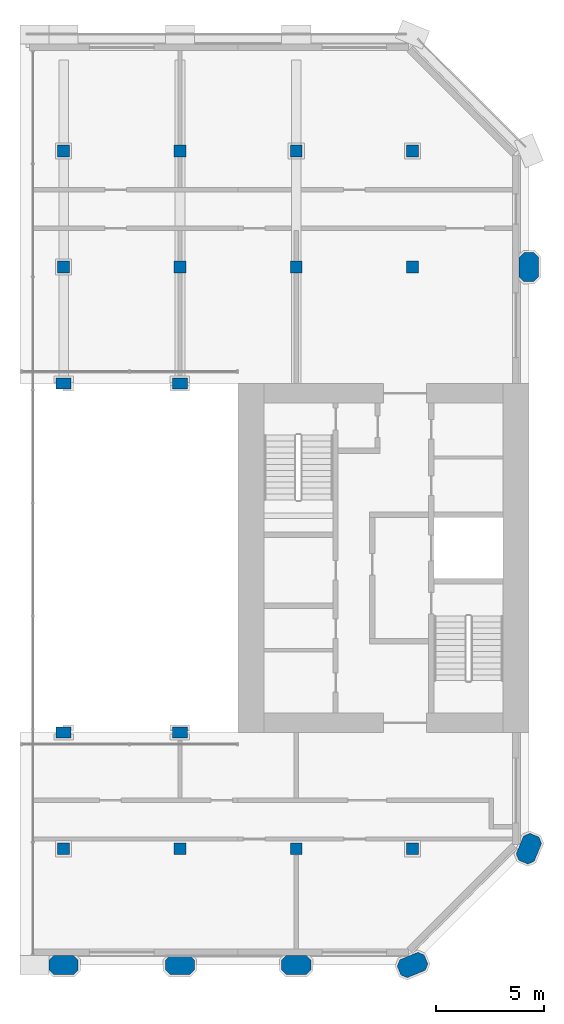
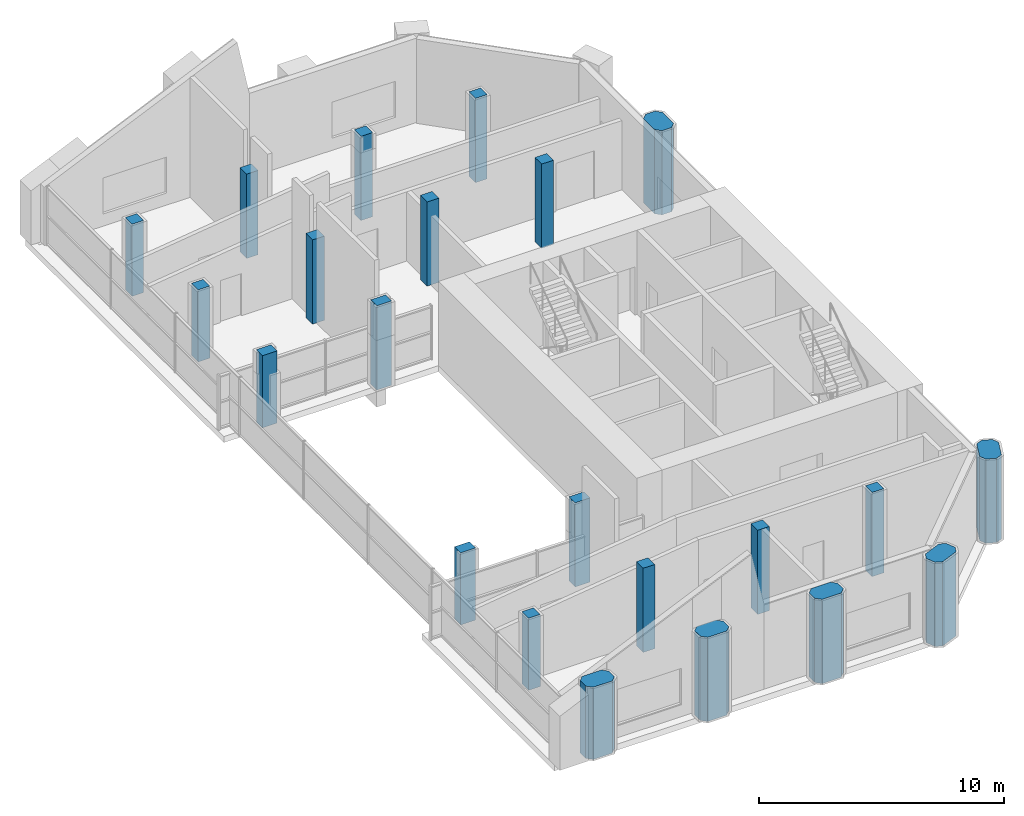
# One storey, part 1 of 8: 22 columns.
"""IFC4 building model written with IfcOpenShell, lengths in metres."""

from ifc_helpers import new_model, si_unit, direction, frame, origin, origin_2d, place, context, subcontext, project, spatial, polyline, rectangle, outline, extrude, material, material_profile, profile_set, type_object, element, save


model = new_model("IFC4")

# Units and contexts
model_context = context("Model", 3, precision=1e-05, world=origin(), true_north=direction((0.0, 1.0)))
body_context = subcontext(model_context, "Body", "Model", "MODEL_VIEW")
ifc_project = project(units=[si_unit("LENGTHUNIT", "METRE"), si_unit("AREAUNIT", "SQUARE_METRE"), si_unit("VOLUMEUNIT", "CUBIC_METRE"), si_unit("PLANEANGLEUNIT", "RADIAN"), si_unit("MASSUNIT", "GRAM", prefix="KILO")], contexts=[model_context])

# Site, building, storey
site_placement = place(None, origin())
site = spatial("IfcSite", under=ifc_project, at=site_placement, CompositionType="ELEMENT")
building_placement = place(site_placement, origin())
building = spatial("IfcBuilding", under=site, at=building_placement, Name="Tabaq Tower and Sports Hall", CompositionType="ELEMENT")
storey_placement = place(building_placement, frame((0.0, 0.0, 330.699951171875)))
storey = spatial("IfcBuildingStorey", under=building, at=storey_placement, Name="L82", CompositionType="ELEMENT", Elevation=330.699951171875)

# Columns
ifc_material_1 = material(Name="Concrete C40/50", Category="concrete")
ifc_material_profile_1 = material_profile(ifc_material_1, rectangle(XDim=0.699951171875, YDim=0.5, at=origin_2d()), Name="ATRIUM COLUMN 700x500")
ifc_profile_set_1 = profile_set([ifc_material_profile_1], Name="Concrete C40/50")
column_type_1 = type_object("IfcColumnType", Name="RC COLUMN ATRIUM COLUMN 700x500 C40/50", PredefinedType="COLUMN", material=ifc_profile_set_1)
column_1_placement = place(storey_placement, frame((21.60009765625, 16.199951171875, 0.0), z_axis=(0.0, 0.0, 1.0), x_axis=(1.0, 0.0, 0.0)))
element("IfcColumn", 1, at=column_1_placement, inside=storey, type_object=column_type_1, Name="Atrium Column 5/D L82", PredefinedType="COLUMN", context=body_context, shape_type="SweptSolid", body=[
    extrude(rectangle(XDim=0.699951171875, YDim=0.5, at=origin_2d()), origin(), (0.0, 0.0, 1.0), 3.60009765625),
])
column_2_placement = place(storey_placement, frame((27.0, 16.199951171875, 0.0), z_axis=(0.0, 0.0, 1.0), x_axis=(1.0, 0.0, 0.0)))
element("IfcColumn", 2, at=column_2_placement, inside=storey, type_object=column_type_1, Name="Atrium Column 6/D L82", PredefinedType="COLUMN", context=body_context, shape_type="SweptSolid", body=[
    extrude(rectangle(XDim=0.699951171875, YDim=0.5, at=origin_2d()), origin(), (0.0, 0.0, 1.0), 4.199951171875),
])
column_3_placement = place(storey_placement, frame((21.60009765625, 32.39990234375, 0.0), z_axis=(0.0, 0.0, 1.0), x_axis=(1.0, 0.0, 0.0)))
element("IfcColumn", 3, at=column_3_placement, inside=storey, type_object=column_type_1, Name="Atrium Column 5/G L82", PredefinedType="COLUMN", context=body_context, shape_type="SweptSolid", body=[
    extrude(rectangle(XDim=0.699951171875, YDim=0.5, at=origin_2d()), origin(), (0.0, 0.0, 1.0), 3.60009765625),
])
column_4_placement = place(storey_placement, frame((27.0, 32.39990234375, 0.0), z_axis=(0.0, 0.0, 1.0), x_axis=(1.0, 0.0, 0.0)))
element("IfcColumn", 4, at=column_4_placement, inside=storey, type_object=column_type_1, Name="Atrium Column 6/G L82", PredefinedType="COLUMN", context=body_context, shape_type="SweptSolid", body=[
    extrude(rectangle(XDim=0.699951171875, YDim=0.5, at=origin_2d()), origin(), (0.0, 0.0, 1.0), 4.199951171875),
])
ifc_material_2 = material(Name="Concrete C40/50", Category="concrete")
ifc_material_profile_2 = material_profile(ifc_material_2, rectangle(XDim=0.550048828125, YDim=0.550048828125, at=origin_2d()), Name="COLUMN 550x550")
ifc_profile_set_2 = profile_set([ifc_material_profile_2], Name="Concrete C40/50")
column_type_2 = type_object("IfcColumnType", Name="RC COLUMN COLUMN 550x550 C40/50", PredefinedType="COLUMN", material=ifc_profile_set_2)
column_5_placement = place(storey_placement, frame((21.60009765625, 10.800048828125, 0.0), z_axis=(0.0, 0.0, 1.0), x_axis=(1.0, 0.0, 0.0)))
element("IfcColumn", 5, at=column_5_placement, inside=storey, type_object=column_type_2, Name="Column 5/C L82", PredefinedType="COLUMN", context=body_context, shape_type="SweptSolid", body=[
    extrude(rectangle(XDim=0.550048828125, YDim=0.550048828125, at=origin_2d()), origin(), (0.0, 0.0, 1.0), 3.60009765625),
])
for number, where, z_axis, x_axis, name in (
    (6, (27.0, 10.800048828125, 0.0), (0.0, 0.0, 1.0), (1.0, 0.0, 0.0), "Column 6/C L82"),
    (7, (32.39990234375, 10.800048828125, 0.0), (0.0, 0.0, 1.0), (1.0, 0.0, 0.0), "Column 7/C L82"),
    (8, (37.800048828125, 10.800048828125, 0.0), (0.0, 0.0, 1.0), (1.0, 0.0, 0.0), "Column 8/C L82"),
):
    element("IfcColumn", number, at=place(storey_placement, frame(where, z_axis=z_axis, x_axis=x_axis)), inside=storey, type_object=column_type_2, Name=name, PredefinedType="COLUMN", context=body_context, shape_type="SweptSolid", body=[
        extrude(rectangle(XDim=0.550048828125, YDim=0.550048828125, at=origin_2d()), origin(), (0.0, 0.0, 1.0), 4.199951171875),
    ])
column_6_placement = place(storey_placement, frame((21.60009765625, 37.800048828125, 0.0), z_axis=(0.0, 0.0, 1.0), x_axis=(1.0, 0.0, 0.0)))
element("IfcColumn", 9, at=column_6_placement, inside=storey, type_object=column_type_2, Name="Column 5/H L82", PredefinedType="COLUMN", context=body_context, shape_type="SweptSolid", body=[
    extrude(rectangle(XDim=0.550048828125, YDim=0.550048828125, at=origin_2d()), origin(), (0.0, 0.0, 1.0), 3.60009765625),
])
for number, where, z_axis, x_axis, name in (
    (10, (27.0, 37.800048828125, 0.0), (0.0, 0.0, 1.0), (1.0, 0.0, 0.0), "Column 6/H L82"),
    (11, (32.39990234375, 37.800048828125, 0.0), (0.0, 0.0, 1.0), (1.0, 0.0, 0.0), "Column 7/H L82"),
    (12, (37.800048828125, 37.800048828125, 0.0), (0.0, 0.0, 1.0), (1.0, 0.0, 0.0), "Column 8/H L82"),
):
    element("IfcColumn", number, at=place(storey_placement, frame(where, z_axis=z_axis, x_axis=x_axis)), inside=storey, type_object=column_type_2, Name=name, PredefinedType="COLUMN", context=body_context, shape_type="SweptSolid", body=[
        extrude(rectangle(XDim=0.550048828125, YDim=0.550048828125, at=origin_2d()), origin(), (0.0, 0.0, 1.0), 4.199951171875),
    ])
column_7_placement = place(storey_placement, frame((21.60009765625, 43.199951171875, 0.0), z_axis=(0.0, 0.0, 1.0), x_axis=(1.0, 0.0, 0.0)))
element("IfcColumn", 13, at=column_7_placement, inside=storey, type_object=column_type_2, Name="Column 5/I L82", PredefinedType="COLUMN", context=body_context, shape_type="SweptSolid", body=[
    extrude(rectangle(XDim=0.550048828125, YDim=0.550048828125, at=origin_2d()), origin(), (0.0, 0.0, 1.0), 3.60009765625),
])
for number, where, z_axis, x_axis, name in (
    (14, (27.0, 43.199951171875, 0.0), (0.0, 0.0, 1.0), (1.0, 0.0, 0.0), "Column 6/I L82"),
    (15, (32.39990234375, 43.199951171875, 0.0), (0.0, 0.0, 1.0), (1.0, 0.0, 0.0), "Column 7/I L82"),
    (16, (37.800048828125, 43.199951171875, 0.0), (0.0, 0.0, 1.0), (1.0, 0.0, 0.0), "Column 8/I L82"),
):
    element("IfcColumn", number, at=place(storey_placement, frame(where, z_axis=z_axis, x_axis=x_axis)), inside=storey, type_object=column_type_2, Name=name, PredefinedType="COLUMN", context=body_context, shape_type="SweptSolid", body=[
        extrude(rectangle(XDim=0.550048828125, YDim=0.550048828125, at=origin_2d()), origin(), (0.0, 0.0, 1.0), 4.199951171875),
    ])
ifc_material_3 = material(Name="Concrete C40/50", Category="concrete")
ifc_material_profile_3 = material_profile(ifc_material_3, outline(polyline([(-0.449951171875, -0.449951171875), (0.449951171875, -0.449951171875), (0.675048828125, -0.22509765625), (0.675048828125, 0.22509765625), (0.449951171875, 0.449951171875), (-0.449951171875, 0.449951171875), (-0.675048828125, 0.22509765625), (-0.675048828125, -0.22509765625), (-0.449951171875, -0.449951171875)])), Name="PIER 1350x900")
ifc_profile_set_3 = profile_set([ifc_material_profile_3], Name="Concrete C40/50")
column_type_3 = type_object("IfcColumnType", Name="RC COLUMN PIER 1350x900 C40/50", PredefinedType="COLUMN", material=ifc_profile_set_3)
column_8_placement = place(storey_placement, frame((21.60009765625, 5.39990234375, 0.0), z_axis=(0.0, 0.0, 1.0), x_axis=(1.0, 0.0, 0.0)))
element("IfcColumn", 17, at=column_8_placement, inside=storey, type_object=column_type_3, Name="Pier 5/B L82", PredefinedType="COLUMN", context=body_context, shape_type="SweptSolid", body=[
    extrude(outline(polyline([(-0.449951171875, -0.449951171875), (0.449951171875, -0.449951171875), (0.675048828125, -0.22509765625), (0.675048828125, 0.22509765625), (0.449951171875, 0.449951171875), (-0.449951171875, 0.449951171875), (-0.675048828125, 0.22509765625), (-0.675048828125, -0.22509765625), (-0.449951171875, -0.449951171875)])), origin(), (0.0, 0.0, 1.0), 3.60009765625),
])
for number, where, z_axis, x_axis, name in (
    (18, (27.0, 5.39990234375, 0.0), (0.0, 0.0, 1.0), (1.0, 0.0, 0.0), "Pier 6/B L82"),
    (19, (32.39990234375, 5.39990234375, 0.0), (0.0, 0.0, 1.0), (1.0, 0.0, 0.0), "Pier 7/B L82"),
    (20, (37.800048828125, 5.39990234375, 0.0), (0.0, 0.0, 1.0), (0.923879532511, 0.382683432365, 0.0), "Pier 8/B L82"),
    (21, (43.199951171875, 10.800048828125, 0.0), (0.0, 0.0, 1.0), (0.382683432365, 0.923879532511, 0.0), "Pier 9/C L82"),
    (22, (43.199951171875, 37.800048828125, 0.0), (0.0, 0.0, 1.0), (0.0, 1.0, 0.0), "Pier 9/H L82"),
):
    element("IfcColumn", number, at=place(storey_placement, frame(where, z_axis=z_axis, x_axis=x_axis)), inside=storey, type_object=column_type_3, Name=name, PredefinedType="COLUMN", context=body_context, shape_type="SweptSolid", body=[
        extrude(outline(polyline([(-0.449951171875, -0.449951171875), (0.449951171875, -0.449951171875), (0.675048828125, -0.22509765625), (0.675048828125, 0.22509765625), (0.449951171875, 0.449951171875), (-0.449951171875, 0.449951171875), (-0.675048828125, 0.22509765625), (-0.675048828125, -0.22509765625), (-0.449951171875, -0.449951171875)])), origin(), (0.0, 0.0, 1.0), 4.199951171875),
    ])

save(model, "model.ifc")
